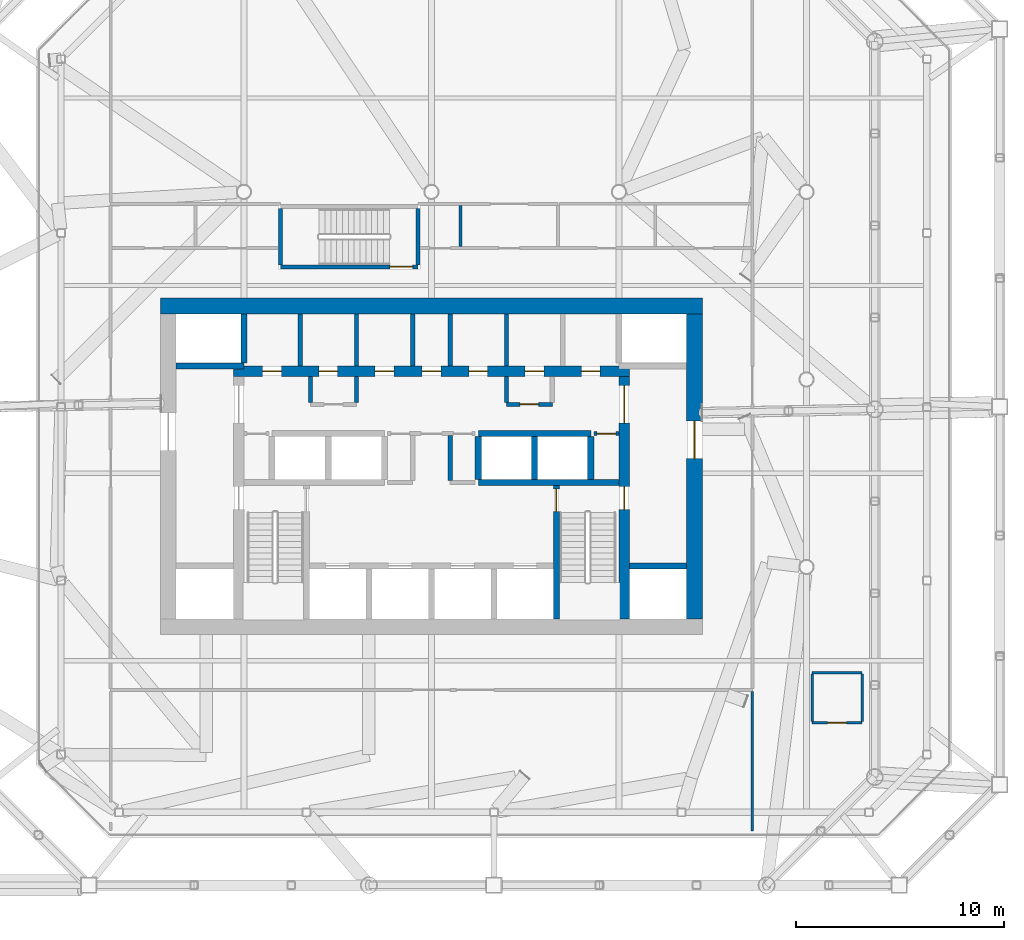
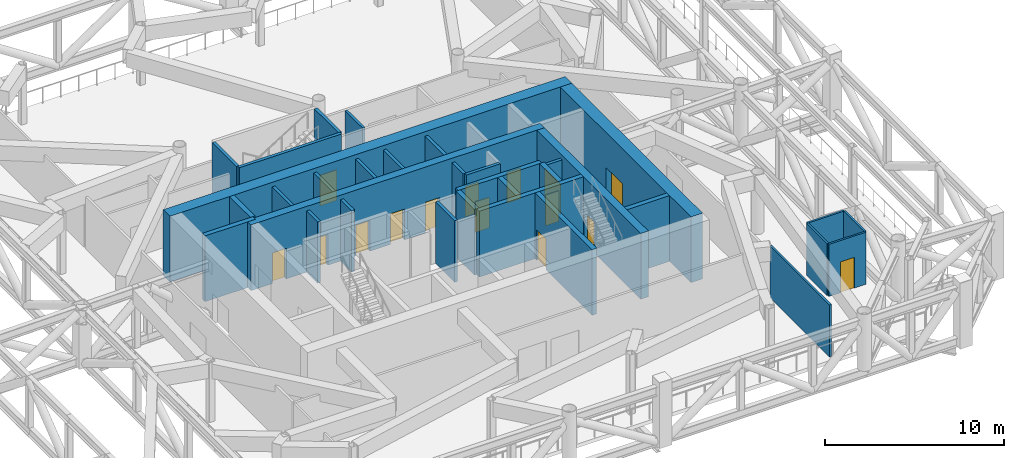
# One storey, part 14 of 21: 33 walls, 15 doors, 15 openings.
"""IFC4 building model written with IfcOpenShell, lengths in metres."""

from ifc_helpers import new_model, si_unit, direction, frame, frame_2d, origin, place, context, subcontext, project, spatial, rectangle, extrude, material, layer, layer_set, type_object, element, fill, save


model = new_model("IFC4")

# Units and contexts
model_context = context("Model", 3, precision=1e-05, world=origin(), true_north=direction((0.0, 1.0)))
body_context = subcontext(model_context, "Body", "Model", "MODEL_VIEW")
ifc_project = project(units=[si_unit("LENGTHUNIT", "METRE"), si_unit("AREAUNIT", "SQUARE_METRE"), si_unit("VOLUMEUNIT", "CUBIC_METRE"), si_unit("PLANEANGLEUNIT", "RADIAN"), si_unit("MASSUNIT", "GRAM", prefix="KILO")], contexts=[model_context])

# Site, building, storey
site_placement = place(None, origin())
site = spatial("IfcSite", under=ifc_project, at=site_placement, CompositionType="ELEMENT")
building_placement = place(site_placement, origin())
building = spatial("IfcBuilding", under=site, at=building_placement, Name="Tskaro Facet Tower", CompositionType="ELEMENT")
storey_placement = place(building_placement, frame((0.0, 0.0, 167.699951171875)))
storey = spatial("IfcBuildingStorey", under=building, at=storey_placement, Name="L41", CompositionType="ELEMENT", Elevation=167.699951171875)

# Walls
ifc_material_1 = material(Name="Concrete C60/75", Category="concrete")
ifc_layer_1 = layer(ifc_material_1, 0.300048828125, Name="Concrete C60/75")
ifc_layer_set_1 = layer_set([ifc_layer_1], Name="Concrete C60/75")
wall_type_1 = type_object("IfcWallType", Name="CORE-SHAFT", PredefinedType="SHEAR", material=ifc_layer_set_1)
wall_1_placement = place(storey_placement, frame((9.5, -8.949951171875, 0.0), z_axis=(0.0, 0.0, 1.0), x_axis=(1.0, 0.0, 0.0)))
element("IfcWall", 1, at=wall_1_placement, inside=storey, type_object=wall_type_1, Name="Shaft wall W006", PredefinedType="SHEAR", context=body_context, shape_type="SweptSolid", body=[
    extrude(rectangle(XDim=2.75, YDim=0.300048828125, at=frame_2d((1.375, 0.0))), origin(), (0.0, 0.0, 1.0), 4.5),
])
wall_2_placement = place(storey_placement, frame((2.25, -4.949951171875, 0.0), z_axis=(0.0, 0.0, 1.0), x_axis=(1.0, 0.0, 0.0)))
element("IfcWall", 2, at=wall_2_placement, inside=storey, type_object=wall_type_1, Name="Shaft wall W010", PredefinedType="SHEAR", context=body_context, shape_type="SweptSolid", body=[
    extrude(rectangle(XDim=6.75, YDim=0.300048828125, at=frame_2d((3.375, 0.0))), origin(), (0.0, 0.0, 1.0), 4.5),
])
wall_3_placement = place(storey_placement, frame((2.25, -2.60009765625, 0.0), z_axis=(0.0, 0.0, 1.0), x_axis=(1.0, 0.0, 0.0)))
element("IfcWall", 3, at=wall_3_placement, inside=storey, type_object=wall_type_1, Name="Shaft wall W014", PredefinedType="SHEAR", context=body_context, shape_type="SweptSolid", body=[
    extrude(rectangle(XDim=5.39990234375, YDim=0.300048828125, at=frame_2d((2.699951171875, 0.0))), origin(), (0.0, 0.0, 1.0), 4.5),
])
wall_4_placement = place(storey_placement, frame((-9.0, 0.64990234375, 0.0), z_axis=(0.0, 0.0, 1.0), x_axis=(-1.0, 0.0, 0.0)))
element("IfcWall", 4, at=wall_4_placement, inside=storey, type_object=wall_type_1, Name="Shaft wall W018", PredefinedType="SHEAR", context=body_context, shape_type="SweptSolid", body=[
    extrude(rectangle(XDim=3.25, YDim=0.300048828125, at=frame_2d((1.625, 0.0))), origin(), (0.0, 0.0, 1.0), 4.5),
])
wall_5_placement = place(storey_placement, frame((-9.0, 0.800048828125, 0.0), z_axis=(0.0, 0.0, 1.0), x_axis=(0.0, 1.0, 0.0)))
element("IfcWall", 5, at=wall_5_placement, inside=storey, type_object=wall_type_1, Name="Shaft wall W032", PredefinedType="SHEAR", context=body_context, shape_type="SweptSolid", body=[
    extrude(rectangle(XDim=2.349853515625, YDim=0.300048828125, at=frame_2d((1.1748046875, 0.0))), origin(), (0.0, 0.0, 1.0), 4.5),
])
for number, where, z_axis, x_axis, name in (
    (6, (2.25, -4.800048828125, 0.0), (0.0, 0.0, 1.0), (0.0, 1.0, 0.0), "Shaft wall W050"),
    (7, (4.949951171875, -4.800048828125, 0.0), (0.0, 0.0, 1.0), (0.0, 1.0, 0.0), "Shaft wall W054"),
):
    element("IfcWall", number, at=place(storey_placement, frame(where, z_axis=z_axis, x_axis=x_axis)), inside=storey, type_object=wall_type_1, Name=name, PredefinedType="SHEAR", context=body_context, shape_type="SweptSolid", body=[
        extrude(rectangle(XDim=2.050048828125, YDim=0.300048828125, at=frame_2d((1.02490234375, 0.0))), origin(), (0.0, 0.0, 1.0), 4.5),
    ])

# Wall, opening, door
wall_6_placement = place(storey_placement, frame((6.0, -5.10009765625, 0.0), z_axis=(0.0, 0.0, 1.0), x_axis=(0.0, -1.0, 0.0)))
wall_6 = element("IfcWall", 8, at=wall_6_placement, inside=storey, type_object=wall_type_1, Name="Shaft wall W056", PredefinedType="SHEAR", context=body_context, shape_type="SweptSolid", body=[
    extrude(rectangle(XDim=6.39990234375, YDim=0.300048828125, at=frame_2d((3.199951171875, 0.0))), origin(), (0.0, 0.0, 1.0), 4.5),
])
opening_1_placement = place(wall_6_placement, frame((0.14990234375, 0.0, 0.0)))
opening_1 = element("IfcOpeningElement", 9, at=opening_1_placement, cuts=wall_6, Name="Opening ST-2-D1", PredefinedType="OPENING", context=body_context, shape_type="SweptSolid", body=[
    extrude(rectangle(XDim=1.10009765625, YDim=2.10009765625, at=frame_2d((0.550048828125, 1.050048828125))), frame((0.0, 0.159912109375, 0.0), z_axis=(0.0, -1.0, 0.0), x_axis=(1.0, 0.0, 0.0)), (0.0, 0.0, 1.0), 0.320068359375),
])
ifc_material_2 = material(Name="Steel", Category="steel")
door_type_1 = type_object("IfcDoorType", Name="D-STAIR", OperationType="NOTDEFINED", PredefinedType="DOOR", material=ifc_material_2)
door_1_placement = place(opening_1_placement, origin())
door_1 = element("IfcDoor", 10, at=door_1_placement, inside=storey, type_object=door_type_1, Name="Stair door 2", OperationType="SINGLE_SWING_RIGHT", OverallHeight=2.10009765625, OverallWidth=1.10009765625, PredefinedType="DOOR", context=body_context, shape_type="SweptSolid", body=[
    extrude(rectangle(XDim=1.10009765625, YDim=2.10009765625, at=frame_2d((0.550048828125, 1.050048828125))), frame((0.0, 0.02490234375, 0.0), z_axis=(0.0, -1.0, 0.0), x_axis=(1.0, 0.0, 0.0)), (0.0, 0.0, 1.0), 0.050048828125),
])
fill(opening_1, door_1)

# Wall
wall_7_placement = place(storey_placement, frame((7.64990234375, -4.800048828125, 0.0), z_axis=(0.0, 0.0, 1.0), x_axis=(0.0, 1.0, 0.0)))
element("IfcWall", 11, at=wall_7_placement, inside=storey, type_object=wall_type_1, Name="Shaft wall W059", PredefinedType="SHEAR", context=body_context, shape_type="SweptSolid", body=[
    extrude(rectangle(XDim=2.050048828125, YDim=0.300048828125, at=frame_2d((1.02490234375, 0.0))), origin(), (0.0, 0.0, 1.0), 4.5),
])

# Wall, opening, door
ifc_material_3 = material(Name="Concrete C20/25", Category="concrete")
ifc_layer_2 = layer(ifc_material_3, 0.199951171875, Name="Concrete C20/25")
ifc_layer_set_2 = layer_set([ifc_layer_2], Name="Concrete C20/25")
wall_type_2 = type_object("IfcWallType", Name="CORE-WALL", PredefinedType="SOLIDWALL", material=ifc_layer_set_2)
wall_8_placement = place(storey_placement, frame((9.0, -2.60009765625, 0.0), z_axis=(0.0, 0.0, 1.0), x_axis=(-1.0, 0.0, 0.0)))
wall_8 = element("IfcWall", 12, at=wall_8_placement, inside=storey, type_object=wall_type_2, Name="Core room wall W015", PredefinedType="SOLIDWALL", context=body_context, shape_type="SweptSolid", body=[
    extrude(rectangle(XDim=1.199951171875, YDim=0.199951171875, at=frame_2d((0.60009765625, 0.0))), origin(), (0.0, 0.0, 1.0), 4.199951171875),
])
opening_2_placement = place(wall_8_placement, frame((0.14990234375, 0.0, 0.0)))
opening_2 = element("IfcOpeningElement", 13, at=opening_2_placement, cuts=wall_8, Name="Opening R41-D11", PredefinedType="OPENING", context=body_context, shape_type="SweptSolid", body=[
    extrude(rectangle(XDim=0.89990234375, YDim=2.10009765625, at=frame_2d((0.449951171875, 1.050048828125))), frame((0.0, 0.10986328125, 0.0), z_axis=(0.0, -1.0, 0.0), x_axis=(1.0, 0.0, 0.0)), (0.0, 0.0, 1.0), 0.219970703125),
])
ifc_material_4 = material(Name="Timber", Category="wood")
door_type_2 = type_object("IfcDoorType", Name="D-ROOM", OperationType="NOTDEFINED", PredefinedType="DOOR", material=ifc_material_4)
door_2_placement = place(opening_2_placement, origin())
door_2 = element("IfcDoor", 14, at=door_2_placement, inside=storey, type_object=door_type_2, Name="Door R41-D11", OperationType="SINGLE_SWING_RIGHT", OverallHeight=2.10009765625, OverallWidth=0.89990234375, PredefinedType="DOOR", context=body_context, shape_type="SweptSolid", body=[
    extrude(rectangle(XDim=0.89990234375, YDim=2.10009765625, at=frame_2d((0.449951171875, 1.050048828125))), frame((0.0, 0.02490234375, 0.0), z_axis=(0.0, -1.0, 0.0), x_axis=(1.0, 0.0, 0.0)), (0.0, 0.0, 1.0), 0.050048828125),
])
fill(opening_2, door_2)

wall_9_placement = place(storey_placement, frame((3.60009765625, -1.199951171875, 0.0), z_axis=(0.0, 0.0, 1.0), x_axis=(1.0, 0.0, 0.0)))
wall_9 = element("IfcWall", 15, at=wall_9_placement, inside=storey, type_object=wall_type_2, Name="Core room wall W017", PredefinedType="SOLIDWALL", context=body_context, shape_type="SweptSolid", body=[
    extrude(rectangle(XDim=2.199951171875, YDim=0.199951171875, at=frame_2d((1.10009765625, 0.0))), origin(), (0.0, 0.0, 1.0), 4.199951171875),
])
opening_3_placement = place(wall_9_placement, frame((0.64990234375, 0.0, 0.0)))
opening_3 = element("IfcOpeningElement", 16, at=opening_3_placement, cuts=wall_9, Name="Opening R41-D16", PredefinedType="OPENING", context=body_context, shape_type="SweptSolid", body=[
    extrude(rectangle(XDim=0.89990234375, YDim=2.10009765625, at=frame_2d((0.449951171875, 1.050048828125))), frame((0.0, 0.10986328125, 0.0), z_axis=(0.0, -1.0, 0.0), x_axis=(1.0, 0.0, 0.0)), (0.0, 0.0, 1.0), 0.219970703125),
])
door_3_placement = place(opening_3_placement, origin())
door_3 = element("IfcDoor", 17, at=door_3_placement, inside=storey, type_object=door_type_2, Name="Door R41-D16", OperationType="SINGLE_SWING_LEFT", OverallHeight=2.10009765625, OverallWidth=0.89990234375, PredefinedType="DOOR", context=body_context, shape_type="SweptSolid", body=[
    extrude(rectangle(XDim=0.89990234375, YDim=2.10009765625, at=frame_2d((0.449951171875, 1.050048828125))), frame((0.0, 0.02490234375, 0.0), z_axis=(0.0, -1.0, 0.0), x_axis=(1.0, 0.0, 0.0)), (0.0, 0.0, 1.0), 0.050048828125),
])
fill(opening_3, door_3)

# Walls
wall_10_placement = place(storey_placement, frame((-6.300048828125, 0.64990234375, 0.0), z_axis=(0.0, 0.0, 1.0), x_axis=(0.0, 1.0, 0.0)))
element("IfcWall", 18, at=wall_10_placement, inside=storey, type_object=wall_type_2, Name="Core room wall W035", PredefinedType="SOLIDWALL", context=body_context, shape_type="SweptSolid", body=[
    extrude(rectangle(XDim=2.5, YDim=0.199951171875, at=frame_2d((1.25, 0.0))), origin(), (0.0, 0.0, 1.0), 4.199951171875),
])
for number, where, z_axis, x_axis, name in (
    (19, (-5.800048828125, -1.10009765625, 0.0), (0.0, 0.0, 1.0), (0.0, 1.0, 0.0), "Core room wall W037"),
    (20, (-3.60009765625, -1.10009765625, 0.0), (0.0, 0.0, 1.0), (0.0, 1.0, 0.0), "Core room wall W039"),
):
    element("IfcWall", number, at=place(storey_placement, frame(where, z_axis=z_axis, x_axis=x_axis)), inside=storey, type_object=wall_type_2, Name=name, PredefinedType="SOLIDWALL", context=body_context, shape_type="SweptSolid", body=[
        extrude(rectangle(XDim=1.25, YDim=0.199951171875, at=frame_2d((0.625, 0.0))), origin(), (0.0, 0.0, 1.0), 4.199951171875),
    ])
for number, where, z_axis, x_axis, name in (
    (21, (-3.60009765625, 0.64990234375, 0.0), (0.0, 0.0, 1.0), (0.0, 1.0, 0.0), "Core room wall W040"),
    (22, (-0.89990234375, 0.64990234375, 0.0), (0.0, 0.0, 1.0), (0.0, 1.0, 0.0), "Core room wall W044"),
):
    element("IfcWall", number, at=place(storey_placement, frame(where, z_axis=z_axis, x_axis=x_axis)), inside=storey, type_object=wall_type_2, Name=name, PredefinedType="SOLIDWALL", context=body_context, shape_type="SweptSolid", body=[
        extrude(rectangle(XDim=2.5, YDim=0.199951171875, at=frame_2d((1.25, 0.0))), origin(), (0.0, 0.0, 1.0), 4.199951171875),
    ])
wall_11_placement = place(storey_placement, frame((0.89990234375, -4.85009765625, 0.0), z_axis=(0.0, 0.0, 1.0), x_axis=(0.0, 1.0, 0.0)))
element("IfcWall", 23, at=wall_11_placement, inside=storey, type_object=wall_type_2, Name="Core room wall W047", PredefinedType="SOLIDWALL", context=body_context, shape_type="SweptSolid", body=[
    extrude(rectangle(XDim=2.150146484375, YDim=0.199951171875, at=frame_2d((1.0751953125, 0.0))), origin(), (0.0, 0.0, 1.0), 4.199951171875),
])
wall_12_placement = place(storey_placement, frame((0.89990234375, 0.64990234375, 0.0), z_axis=(0.0, 0.0, 1.0), x_axis=(0.0, 1.0, 0.0)))
element("IfcWall", 24, at=wall_12_placement, inside=storey, type_object=wall_type_2, Name="Core room wall W048", PredefinedType="SOLIDWALL", context=body_context, shape_type="SweptSolid", body=[
    extrude(rectangle(XDim=2.5, YDim=0.199951171875, at=frame_2d((1.25, 0.0))), origin(), (0.0, 0.0, 1.0), 4.199951171875),
])
wall_13_placement = place(storey_placement, frame((3.60009765625, -1.10009765625, 0.0), z_axis=(0.0, 0.0, 1.0), x_axis=(0.0, 1.0, 0.0)))
element("IfcWall", 25, at=wall_13_placement, inside=storey, type_object=wall_type_2, Name="Core room wall W052", PredefinedType="SOLIDWALL", context=body_context, shape_type="SweptSolid", body=[
    extrude(rectangle(XDim=1.25, YDim=0.199951171875, at=frame_2d((0.625, 0.0))), origin(), (0.0, 0.0, 1.0), 4.199951171875),
])
wall_14_placement = place(storey_placement, frame((3.60009765625, 0.64990234375, 0.0), z_axis=(0.0, 0.0, 1.0), x_axis=(0.0, 1.0, 0.0)))
element("IfcWall", 26, at=wall_14_placement, inside=storey, type_object=wall_type_2, Name="Core room wall W053", PredefinedType="SOLIDWALL", context=body_context, shape_type="SweptSolid", body=[
    extrude(rectangle(XDim=2.5, YDim=0.199951171875, at=frame_2d((1.25, 0.0))), origin(), (0.0, 0.0, 1.0), 4.199951171875),
])

# Wall, openings, doors
ifc_material_5 = material(Name="Concrete C40/50", Category="concrete")
ifc_layer_3 = layer(ifc_material_5, 0.5, Name="Concrete C40/50")
ifc_layer_set_3 = layer_set([ifc_layer_3], Name="Concrete C40/50")
wall_type_3 = type_object("IfcWallType", Name="Core wall 500", PredefinedType="SHEAR", material=ifc_layer_set_3)
wall_15_placement = place(storey_placement, frame((-9.5, 0.39990234375, 0.0), z_axis=(0.0, 0.0, 1.0), x_axis=(1.0, 0.0, 0.0)))
wall_15 = element("IfcWall", 27, at=wall_15_placement, inside=storey, type_object=wall_type_3, Name="Core wall CW-Z3N", PredefinedType="SHEAR", context=body_context, shape_type="SweptSolid", body=[
    extrude(rectangle(XDim=19.0, YDim=0.5, at=frame_2d((9.5, 0.0))), origin(), (0.0, 0.0, 1.0), 4.5),
])
opening_4_placement = place(wall_15_placement, frame((1.39990234375, 0.0, 0.0)))
opening_4 = element("IfcOpeningElement", 28, at=opening_4_placement, cuts=wall_15, Name="Opening R41-D20", PredefinedType="OPENING", context=body_context, shape_type="SweptSolid", body=[
    extrude(rectangle(XDim=0.89990234375, YDim=2.10009765625, at=frame_2d((0.449951171875, 1.050048828125))), frame((0.0, 0.260009765625, 0.0), z_axis=(0.0, -1.0, 0.0), x_axis=(1.0, 0.0, 0.0)), (0.0, 0.0, 1.0), 0.52001953125),
])
opening_5_placement = place(wall_15_placement, frame((4.10009765625, 0.0, 0.0)))
opening_5 = element("IfcOpeningElement", 29, at=opening_5_placement, cuts=wall_15, Name="Opening R41-D21", PredefinedType="OPENING", context=body_context, shape_type="SweptSolid", body=[
    extrude(rectangle(XDim=0.89990234375, YDim=2.10009765625, at=frame_2d((0.449951171875, 1.050048828125))), frame((0.0, 0.260009765625, 0.0), z_axis=(0.0, -1.0, 0.0), x_axis=(1.0, 0.0, 0.0)), (0.0, 0.0, 1.0), 0.52001953125),
])
opening_6_placement = place(wall_15_placement, frame((6.800048828125, 0.0, 0.0)))
opening_6 = element("IfcOpeningElement", 30, at=opening_6_placement, cuts=wall_15, Name="Opening R41-D22", PredefinedType="OPENING", context=body_context, shape_type="SweptSolid", body=[
    extrude(rectangle(XDim=0.89990234375, YDim=2.10009765625, at=frame_2d((0.449951171875, 1.050048828125))), frame((0.0, 0.260009765625, 0.0), z_axis=(0.0, -1.0, 0.0), x_axis=(1.0, 0.0, 0.0)), (0.0, 0.0, 1.0), 0.52001953125),
])
opening_7_placement = place(wall_15_placement, frame((11.300048828125, 0.0, 0.0)))
opening_7 = element("IfcOpeningElement", 31, at=opening_7_placement, cuts=wall_15, Name="Opening R41-D24", PredefinedType="OPENING", context=body_context, shape_type="SweptSolid", body=[
    extrude(rectangle(XDim=0.89990234375, YDim=2.10009765625, at=frame_2d((0.449951171875, 1.050048828125))), frame((0.0, 0.260009765625, 0.0), z_axis=(0.0, -1.0, 0.0), x_axis=(1.0, 0.0, 0.0)), (0.0, 0.0, 1.0), 0.52001953125),
])
opening_8_placement = place(wall_15_placement, frame((14.0, 0.0, 0.0)))
opening_8 = element("IfcOpeningElement", 32, at=opening_8_placement, cuts=wall_15, Name="Opening R41-D25", PredefinedType="OPENING", context=body_context, shape_type="SweptSolid", body=[
    extrude(rectangle(XDim=0.89990234375, YDim=2.10009765625, at=frame_2d((0.449951171875, 1.050048828125))), frame((0.0, 0.260009765625, 0.0), z_axis=(0.0, -1.0, 0.0), x_axis=(1.0, 0.0, 0.0)), (0.0, 0.0, 1.0), 0.52001953125),
])
opening_9_placement = place(wall_15_placement, frame((16.699951171875, 0.0, 0.0)))
opening_9 = element("IfcOpeningElement", 33, at=opening_9_placement, cuts=wall_15, Name="Opening R41-D26", PredefinedType="OPENING", context=body_context, shape_type="SweptSolid", body=[
    extrude(rectangle(XDim=0.89990234375, YDim=2.10009765625, at=frame_2d((0.449951171875, 1.050048828125))), frame((0.0, 0.260009765625, 0.0), z_axis=(0.0, -1.0, 0.0), x_axis=(1.0, 0.0, 0.0)), (0.0, 0.0, 1.0), 0.52001953125),
])
opening_10_placement = place(wall_15_placement, frame((9.050048828125, 0.0, 0.0)))
opening_10 = element("IfcOpeningElement", 34, at=opening_10_placement, cuts=wall_15, Name="Opening R41-D23", PredefinedType="OPENING", context=body_context, shape_type="SweptSolid", body=[
    extrude(rectangle(XDim=0.89990234375, YDim=2.10009765625, at=frame_2d((0.449951171875, 1.050048828125))), frame((0.0, 0.260009765625, 0.0), z_axis=(0.0, -1.0, 0.0), x_axis=(1.0, 0.0, 0.0)), (0.0, 0.0, 1.0), 0.52001953125),
])
door_type_3 = type_object("IfcDoorType", Name="D-RISER", OperationType="NOTDEFINED", PredefinedType="DOOR", material=ifc_material_2)
door_4_placement = place(opening_10_placement, origin())
door_4 = element("IfcDoor", 35, at=door_4_placement, inside=storey, type_object=door_type_3, Name="Door R41-D23", OperationType="SINGLE_SWING_LEFT", OverallHeight=2.10009765625, OverallWidth=0.89990234375, PredefinedType="DOOR", context=body_context, shape_type="SweptSolid", body=[
    extrude(rectangle(XDim=0.89990234375, YDim=2.10009765625, at=frame_2d((0.449951171875, 1.050048828125))), frame((0.0, 0.02490234375, 0.0), z_axis=(0.0, -1.0, 0.0), x_axis=(1.0, 0.0, 0.0)), (0.0, 0.0, 1.0), 0.050048828125),
])
fill(opening_10, door_4)
door_5_placement = place(opening_4_placement, origin())
door_5 = element("IfcDoor", 36, at=door_5_placement, inside=storey, type_object=door_type_2, Name="Door R41-D20", OperationType="SINGLE_SWING_LEFT", OverallHeight=2.10009765625, OverallWidth=0.89990234375, PredefinedType="DOOR", context=body_context, shape_type="SweptSolid", body=[
    extrude(rectangle(XDim=0.89990234375, YDim=2.10009765625, at=frame_2d((0.449951171875, 1.050048828125))), frame((0.0, 0.02490234375, 0.0), z_axis=(0.0, -1.0, 0.0), x_axis=(1.0, 0.0, 0.0)), (0.0, 0.0, 1.0), 0.050048828125),
])
fill(opening_4, door_5)
door_6_placement = place(opening_5_placement, origin())
door_6 = element("IfcDoor", 37, at=door_6_placement, inside=storey, type_object=door_type_2, Name="Door R41-D21", OperationType="SINGLE_SWING_LEFT", OverallHeight=2.10009765625, OverallWidth=0.89990234375, PredefinedType="DOOR", context=body_context, shape_type="SweptSolid", body=[
    extrude(rectangle(XDim=0.89990234375, YDim=2.10009765625, at=frame_2d((0.449951171875, 1.050048828125))), frame((0.0, 0.02490234375, 0.0), z_axis=(0.0, -1.0, 0.0), x_axis=(1.0, 0.0, 0.0)), (0.0, 0.0, 1.0), 0.050048828125),
])
fill(opening_5, door_6)
door_7_placement = place(opening_6_placement, origin())
door_7 = element("IfcDoor", 38, at=door_7_placement, inside=storey, type_object=door_type_2, Name="Door R41-D22", OperationType="SINGLE_SWING_LEFT", OverallHeight=2.10009765625, OverallWidth=0.89990234375, PredefinedType="DOOR", context=body_context, shape_type="SweptSolid", body=[
    extrude(rectangle(XDim=0.89990234375, YDim=2.10009765625, at=frame_2d((0.449951171875, 1.050048828125))), frame((0.0, 0.02490234375, 0.0), z_axis=(0.0, -1.0, 0.0), x_axis=(1.0, 0.0, 0.0)), (0.0, 0.0, 1.0), 0.050048828125),
])
fill(opening_6, door_7)
door_8_placement = place(opening_7_placement, origin())
door_8 = element("IfcDoor", 39, at=door_8_placement, inside=storey, type_object=door_type_2, Name="Door R41-D24", OperationType="SINGLE_SWING_LEFT", OverallHeight=2.10009765625, OverallWidth=0.89990234375, PredefinedType="DOOR", context=body_context, shape_type="SweptSolid", body=[
    extrude(rectangle(XDim=0.89990234375, YDim=2.10009765625, at=frame_2d((0.449951171875, 1.050048828125))), frame((0.0, 0.02490234375, 0.0), z_axis=(0.0, -1.0, 0.0), x_axis=(1.0, 0.0, 0.0)), (0.0, 0.0, 1.0), 0.050048828125),
])
fill(opening_7, door_8)
door_9_placement = place(opening_8_placement, origin())
door_9 = element("IfcDoor", 40, at=door_9_placement, inside=storey, type_object=door_type_2, Name="Door R41-D25", OperationType="SINGLE_SWING_LEFT", OverallHeight=2.10009765625, OverallWidth=0.89990234375, PredefinedType="DOOR", context=body_context, shape_type="SweptSolid", body=[
    extrude(rectangle(XDim=0.89990234375, YDim=2.10009765625, at=frame_2d((0.449951171875, 1.050048828125))), frame((0.0, 0.02490234375, 0.0), z_axis=(0.0, -1.0, 0.0), x_axis=(1.0, 0.0, 0.0)), (0.0, 0.0, 1.0), 0.050048828125),
])
fill(opening_8, door_9)
door_10_placement = place(opening_9_placement, origin())
door_10 = element("IfcDoor", 41, at=door_10_placement, inside=storey, type_object=door_type_2, Name="Door R41-D26", OperationType="SINGLE_SWING_LEFT", OverallHeight=2.10009765625, OverallWidth=0.89990234375, PredefinedType="DOOR", context=body_context, shape_type="SweptSolid", body=[
    extrude(rectangle(XDim=0.89990234375, YDim=2.10009765625, at=frame_2d((0.449951171875, 1.050048828125))), frame((0.0, 0.02490234375, 0.0), z_axis=(0.0, -1.0, 0.0), x_axis=(1.0, 0.0, 0.0)), (0.0, 0.0, 1.0), 0.050048828125),
])
fill(opening_9, door_10)

wall_16_placement = place(storey_placement, frame((9.25, -11.5, 0.0), z_axis=(0.0, 0.0, 1.0), x_axis=(0.0, 1.0, 0.0)))
wall_16 = element("IfcWall", 42, at=wall_16_placement, inside=storey, type_object=wall_type_3, Name="Core wall CW-Z3E", PredefinedType="SHEAR", context=body_context, shape_type="SweptSolid", body=[
    extrude(rectangle(XDim=11.64990234375, YDim=0.5, at=frame_2d((5.824951171875, 0.0))), origin(), (0.0, 0.0, 1.0), 4.5),
])
opening_11_placement = place(wall_16_placement, frame((9.39990234375, 0.0, 0.0)))
opening_11 = element("IfcOpeningElement", 43, at=opening_11_placement, cuts=wall_16, Name="Opening R41-D17", PredefinedType="OPENING", context=body_context, shape_type="SweptSolid", body=[
    extrude(rectangle(XDim=1.800048828125, YDim=2.10009765625, at=frame_2d((0.89990234375, 1.050048828125))), frame((0.0, 0.260009765625, 0.0), z_axis=(0.0, -1.0, 0.0), x_axis=(1.0, 0.0, 0.0)), (0.0, 0.0, 1.0), 0.52001953125),
])
opening_12_placement = place(wall_16_placement, frame((5.25, 0.0, 0.0)))
opening_12 = element("IfcOpeningElement", 44, at=opening_12_placement, cuts=wall_16, Name="Opening ST-2-D2", PredefinedType="OPENING", context=body_context, shape_type="SweptSolid", body=[
    extrude(rectangle(XDim=1.10009765625, YDim=2.10009765625, at=frame_2d((0.550048828125, 1.050048828125))), frame((0.0, 0.260009765625, 0.0), z_axis=(0.0, -1.0, 0.0), x_axis=(1.0, 0.0, 0.0)), (0.0, 0.0, 1.0), 0.52001953125),
])
door_type_4 = type_object("IfcDoorType", Name="D-CORE-PAIR", OperationType="NOTDEFINED", PredefinedType="DOOR", material=ifc_material_2)
door_11_placement = place(opening_11_placement, origin())
door_11 = element("IfcDoor", 45, at=door_11_placement, inside=storey, type_object=door_type_4, Name="Door R41-D17", OperationType="DOUBLE_DOOR_SINGLE_SWING", OverallHeight=2.10009765625, OverallWidth=1.800048828125, PredefinedType="DOOR", context=body_context, shape_type="SweptSolid", body=[
    extrude(rectangle(XDim=1.800048828125, YDim=2.10009765625, at=frame_2d((0.89990234375, 1.050048828125))), frame((0.0, 0.02490234375, 0.0), z_axis=(0.0, -1.0, 0.0), x_axis=(1.0, 0.0, 0.0)), (0.0, 0.0, 1.0), 0.050048828125),
])
fill(opening_11, door_11)
door_12_placement = place(opening_12_placement, origin())
door_12 = element("IfcDoor", 46, at=door_12_placement, inside=storey, type_object=door_type_1, Name="Stair door 2 east", OperationType="SINGLE_SWING_LEFT", OverallHeight=2.10009765625, OverallWidth=1.10009765625, PredefinedType="DOOR", context=body_context, shape_type="SweptSolid", body=[
    extrude(rectangle(XDim=1.10009765625, YDim=2.10009765625, at=frame_2d((0.550048828125, 1.050048828125))), frame((0.0, 0.02490234375, 0.0), z_axis=(0.0, -1.0, 0.0), x_axis=(1.0, 0.0, 0.0)), (0.0, 0.0, 1.0), 0.050048828125),
])
fill(opening_12, door_12)

# Wall
ifc_material_6 = material(Name="Concrete C50/60", Category="concrete")
ifc_layer_4 = layer(ifc_material_6, 0.75, Name="Concrete C50/60")
ifc_layer_set_4 = layer_set([ifc_layer_4], Name="Concrete C50/60")
wall_type_4 = type_object("IfcWallType", Name="Core wall 750", PredefinedType="SHEAR", material=ifc_layer_set_4)
wall_17_placement = place(storey_placement, frame((-13.0, 3.52490234375, 0.0), z_axis=(0.0, 0.0, 1.0), x_axis=(1.0, 0.0, 0.0)))
element("IfcWall", 47, at=wall_17_placement, inside=storey, type_object=wall_type_4, Name="Core wall CW-Z2N", PredefinedType="SHEAR", context=body_context, shape_type="SweptSolid", body=[
    extrude(rectangle(XDim=26.0, YDim=0.75, at=frame_2d((13.0, 0.0))), origin(), (0.0, 0.0, 1.0), 4.5),
])

# Wall, opening, door
wall_18_placement = place(storey_placement, frame((12.625, -11.5, 0.0), z_axis=(0.0, 0.0, 1.0), x_axis=(0.0, 1.0, 0.0)))
wall_18 = element("IfcWall", 48, at=wall_18_placement, inside=storey, type_object=wall_type_4, Name="Core wall CW-Z2E", PredefinedType="SHEAR", context=body_context, shape_type="SweptSolid", body=[
    extrude(rectangle(XDim=14.64990234375, YDim=0.75, at=frame_2d((7.324951171875, 0.0))), origin(), (0.0, 0.0, 1.0), 4.5),
])
opening_13_placement = place(wall_18_placement, frame((7.699951171875, 0.0, 0.0)))
opening_13 = element("IfcOpeningElement", 49, at=opening_13_placement, cuts=wall_18, Name="Opening R41-D19", PredefinedType="OPENING", context=body_context, shape_type="SweptSolid", body=[
    extrude(rectangle(XDim=1.800048828125, YDim=2.10009765625, at=frame_2d((0.89990234375, 1.050048828125))), frame((0.0, 0.385009765625, 0.0), z_axis=(0.0, -1.0, 0.0), x_axis=(1.0, 0.0, 0.0)), (0.0, 0.0, 1.0), 0.77001953125),
])
door_13_placement = place(opening_13_placement, origin())
door_13 = element("IfcDoor", 50, at=door_13_placement, inside=storey, type_object=door_type_4, Name="Door R41-D19", OperationType="DOUBLE_DOOR_SINGLE_SWING", OverallHeight=2.10009765625, OverallWidth=1.800048828125, PredefinedType="DOOR", context=body_context, shape_type="SweptSolid", body=[
    extrude(rectangle(XDim=1.800048828125, YDim=2.10009765625, at=frame_2d((0.89990234375, 1.050048828125))), frame((0.0, 0.02490234375, 0.0), z_axis=(0.0, -1.0, 0.0), x_axis=(1.0, 0.0, 0.0)), (0.0, 0.0, 1.0), 0.050048828125),
])
fill(opening_13, door_13)

ifc_material_7 = material(Name="Gypsum board on steel studs", Category="steel")
ifc_layer_5 = layer(ifc_material_7, 0.125, Name="Gypsum board on steel studs")
ifc_layer_set_5 = layer_set([ifc_layer_5], Name="Gypsum board on steel studs")
wall_type_5 = type_object("IfcWallType", Name="PART", PredefinedType="PARTITIONING", material=ifc_layer_set_5)
wall_19_placement = place(storey_placement, frame((18.27001953125, -16.469970703125, 0.0), z_axis=(0.0, 0.0, 1.0), x_axis=(1.0, 0.0, 0.0)))
wall_19 = element("IfcWall", 51, at=wall_19_placement, inside=storey, type_object=wall_type_5, Name="Partition W001", PredefinedType="PARTITIONING", context=body_context, shape_type="SweptSolid", body=[
    extrude(rectangle(XDim=2.39990234375, YDim=0.125, at=frame_2d((1.199951171875, 0.0))), origin(), (0.0, 0.0, 1.0), 3.56005859375),
])
opening_14_placement = place(wall_19_placement, frame((0.75, 0.0, 0.0)))
opening_14 = element("IfcOpeningElement", 52, at=opening_14_placement, cuts=wall_19, Name="Opening R41-D01", PredefinedType="OPENING", context=body_context, shape_type="SweptSolid", body=[
    extrude(rectangle(XDim=0.89990234375, YDim=2.10009765625, at=frame_2d((0.449951171875, 1.050048828125))), frame((0.0, 0.072509765625, 0.0), z_axis=(0.0, -1.0, 0.0), x_axis=(1.0, 0.0, 0.0)), (0.0, 0.0, 1.0), 0.14501953125),
])
door_14_placement = place(opening_14_placement, origin())
door_14 = element("IfcDoor", 53, at=door_14_placement, inside=storey, type_object=door_type_2, Name="Door R41-D01", OperationType="SINGLE_SWING_LEFT", OverallHeight=2.10009765625, OverallWidth=0.89990234375, PredefinedType="DOOR", context=body_context, shape_type="SweptSolid", body=[
    extrude(rectangle(XDim=0.89990234375, YDim=2.10009765625, at=frame_2d((0.449951171875, 1.050048828125))), frame((0.0, 0.02490234375, 0.0), z_axis=(0.0, -1.0, 0.0), x_axis=(1.0, 0.0, 0.0)), (0.0, 0.0, 1.0), 0.050048828125),
])
fill(opening_14, door_14)

# Walls
wall_20_placement = place(storey_placement, frame((18.27001953125, -14.070068359375, 0.0), z_axis=(0.0, 0.0, 1.0), x_axis=(1.0, 0.0, 0.0)))
element("IfcWall", 54, at=wall_20_placement, inside=storey, type_object=wall_type_5, Name="Partition W003", PredefinedType="PARTITIONING", context=body_context, shape_type="SweptSolid", body=[
    extrude(rectangle(XDim=2.39990234375, YDim=0.125, at=frame_2d((1.199951171875, 0.0))), origin(), (0.0, 0.0, 1.0), 3.56005859375),
])
wall_21_placement = place(storey_placement, frame((15.39990234375, -21.674072265625, 0.0), z_axis=(0.0, 0.0, 1.0), x_axis=(0.0, 1.0, 0.0)))
element("IfcWall", 55, at=wall_21_placement, inside=storey, type_object=wall_type_5, Name="Partition W062", PredefinedType="PARTITIONING", context=body_context, shape_type="SweptSolid", body=[
    extrude(rectangle(XDim=6.698974609375, YDim=0.125, at=frame_2d((3.349609375, 0.0))), origin(), (0.0, 0.0, 1.0), 3.56005859375),
])
for number, where, z_axis, x_axis, name in (
    (56, (18.27001953125, -16.407470703125, 0.0), (0.0, 0.0, 1.0), (0.0, 1.0, 0.0), "Partition W065"),
    (57, (20.669921875, -16.407470703125, 0.0), (0.0, 0.0, 1.0), (0.0, 1.0, 0.0), "Partition W066"),
):
    element("IfcWall", number, at=place(storey_placement, frame(where, z_axis=z_axis, x_axis=x_axis)), inside=storey, type_object=wall_type_5, Name=name, PredefinedType="PARTITIONING", context=body_context, shape_type="SweptSolid", body=[
        extrude(rectangle(XDim=2.27490234375, YDim=0.125, at=frame_2d((1.137451171875, 0.0))), origin(), (0.0, 0.0, 1.0), 3.56005859375),
    ])
ifc_layer_6 = layer(ifc_material_7, 0.14990234375, Name="Gypsum board on steel studs")
ifc_layer_set_6 = layer_set([ifc_layer_6], Name="Gypsum board on steel studs")
wall_type_6 = type_object("IfcWallType", Name="PART-CORR", PredefinedType="PARTITIONING", material=ifc_layer_set_6)
wall_22_placement = place(storey_placement, frame((1.39990234375, 6.375, 0.0), z_axis=(0.0, 0.0, 1.0), x_axis=(0.0, 1.0, 0.0)))
element("IfcWall", 58, at=wall_22_placement, inside=storey, type_object=wall_type_6, Name="Corridor wall W049", PredefinedType="PARTITIONING", context=body_context, shape_type="SweptSolid", body=[
    extrude(rectangle(XDim=1.97509765625, YDim=0.14990234375, at=frame_2d((0.987548828125, 0.0))), origin(), (0.0, 0.0, 1.0), 3.56005859375),
])

# Wall, opening, door
ifc_layer_7 = layer(ifc_material_1, 0.199951171875, Name="Concrete C60/75")
ifc_layer_set_7 = layer_set([ifc_layer_7], Name="Concrete C60/75")
wall_type_7 = type_object("IfcWallType", Name="STAIR-WALL", PredefinedType="SHEAR", material=ifc_layer_set_7)
wall_23_placement = place(storey_placement, frame((-7.25, 5.39990234375, 0.0), z_axis=(0.0, 0.0, 1.0), x_axis=(1.0, 0.0, 0.0)))
wall_23 = element("IfcWall", 59, at=wall_23_placement, inside=storey, type_object=wall_type_7, Name="Stair wall W020", PredefinedType="SHEAR", context=body_context, shape_type="SweptSolid", body=[
    extrude(rectangle(XDim=6.60009765625, YDim=0.199951171875, at=frame_2d((3.300048828125, 0.0))), origin(), (0.0, 0.0, 1.0), 4.5),
])
opening_15_placement = place(wall_23_placement, frame((5.25, 0.0, 0.0)))
opening_15 = element("IfcOpeningElement", 60, at=opening_15_placement, cuts=wall_23, Name="Opening ST-3-D1", PredefinedType="OPENING", context=body_context, shape_type="SweptSolid", body=[
    extrude(rectangle(XDim=1.10009765625, YDim=2.10009765625, at=frame_2d((0.550048828125, 1.050048828125))), frame((0.0, 0.10986328125, 0.0), z_axis=(0.0, -1.0, 0.0), x_axis=(1.0, 0.0, 0.0)), (0.0, 0.0, 1.0), 0.219970703125),
])
door_15_placement = place(opening_15_placement, origin())
door_15 = element("IfcDoor", 61, at=door_15_placement, inside=storey, type_object=door_type_1, Name="Stair door 3", OperationType="SINGLE_SWING_LEFT", OverallHeight=2.10009765625, OverallWidth=1.10009765625, PredefinedType="DOOR", context=body_context, shape_type="SweptSolid", body=[
    extrude(rectangle(XDim=1.10009765625, YDim=2.10009765625, at=frame_2d((0.550048828125, 1.050048828125))), frame((0.0, 0.02490234375, 0.0), z_axis=(0.0, -1.0, 0.0), x_axis=(1.0, 0.0, 0.0)), (0.0, 0.0, 1.0), 0.050048828125),
])
fill(opening_15, door_15)

# Walls
for number, where, z_axis, x_axis, name in (
    (62, (-7.25, 5.5, 0.0), (0.0, 0.0, 1.0), (0.0, 1.0, 0.0), "Stair wall W034"),
    (63, (-0.64990234375, 5.5, 0.0), (0.0, 0.0, 1.0), (0.0, 1.0, 0.0), "Stair wall W045"),
):
    element("IfcWall", number, at=place(storey_placement, frame(where, z_axis=z_axis, x_axis=x_axis)), inside=storey, type_object=wall_type_7, Name=name, PredefinedType="SHEAR", context=body_context, shape_type="SweptSolid", body=[
        extrude(rectangle(XDim=2.699951171875, YDim=0.199951171875, at=frame_2d((1.35009765625, 0.0))), origin(), (0.0, 0.0, 1.0), 4.5),
    ])

save(model, "model.ifc")
